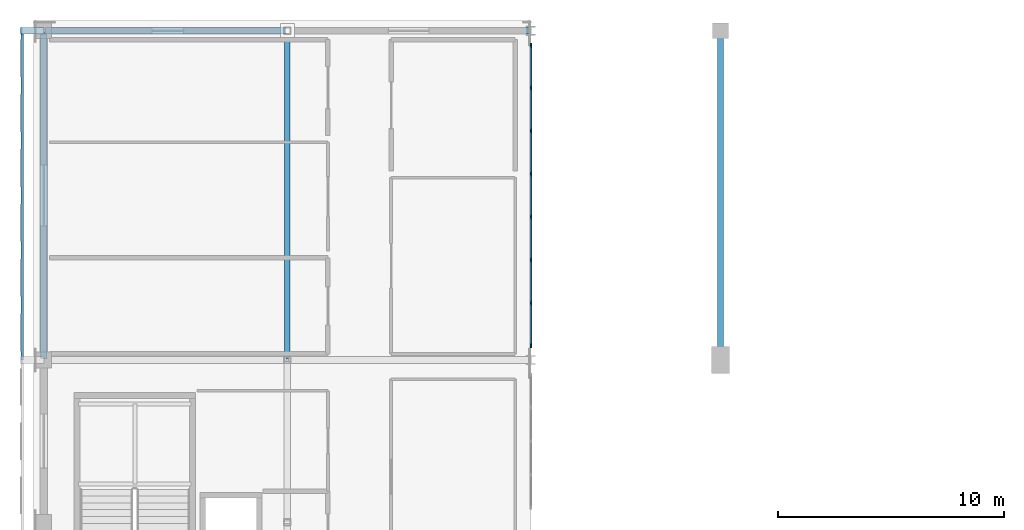
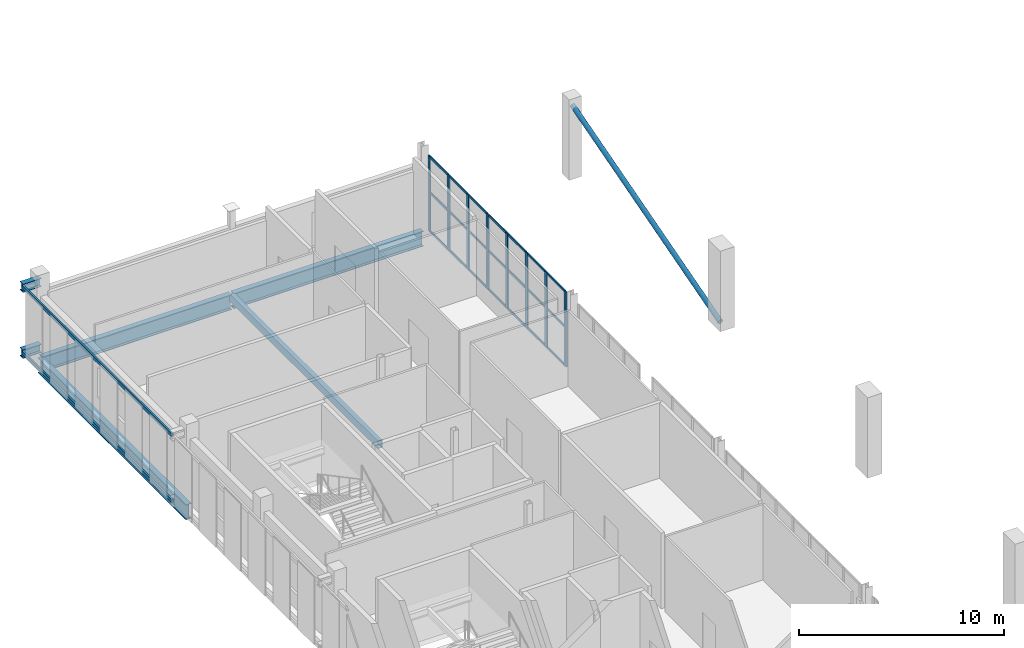
# One storey, part 14 of 51: 32 members, 6 beams, 1 element without a shape of its own.
"""IFC4 building model written with IfcOpenShell, lengths in metres."""

from ifc_helpers import new_model, si_unit, direction, frame, origin, origin_2d, place, context, subcontext, project, spatial, rectangle, hollow_rectangle, hollow_circle, i_section, extrude, material, material_profile, profile_set, type_object, element, aggregate, save


model = new_model("IFC4")

# Units and contexts
model_context = context("Model", 3, precision=1e-05, world=origin(), true_north=direction((0.0, 1.0)))
body_context = subcontext(model_context, "Body", "Model", "MODEL_VIEW")
ifc_project = project(units=[si_unit("LENGTHUNIT", "METRE"), si_unit("AREAUNIT", "SQUARE_METRE"), si_unit("VOLUMEUNIT", "CUBIC_METRE"), si_unit("PLANEANGLEUNIT", "RADIAN"), si_unit("MASSUNIT", "GRAM", prefix="KILO")], contexts=[model_context])

# Site, building, storey
site_placement = place(None, origin())
site = spatial("IfcSite", under=ifc_project, at=site_placement, CompositionType="ELEMENT")
building_placement = place(site_placement, origin())
building = spatial("IfcBuilding", under=site, at=building_placement, Name="Koshinbarg Plaza Stadium", CompositionType="ELEMENT")
storey_placement = place(building_placement, frame((0.0, 0.0, 24.60009765625)))
storey = spatial("IfcBuildingStorey", under=building, at=storey_placement, Name="L05", CompositionType="ELEMENT", Elevation=24.60009765625)

# Beams
ifc_material_1 = material(Name="Steel S355", Category="steel")
ifc_material_profile_1 = material_profile(ifc_material_1, i_section(OverallWidth=0.300048828125, OverallDepth=0.5, WebThickness=0.014404296875, FlangeThickness=0.028076171875, at=origin_2d()), Name="HEB 500")
ifc_profile_set_1 = profile_set([ifc_material_profile_1], Name="Steel S355")
beam_type_1 = type_object("IfcBeamType", Name="BM-CANOPY-CANT", PredefinedType="BEAM", material=ifc_profile_set_1)
for number, where, z_axis, x_axis, name in (
    (1, (24.60009765625, 126.5, 0.25), (-1.0, 0.0, 0.0), (0.0, -1.0, 0.0), "Outer screen cantilever outrigger W-L05-Y08"),
    (2, (24.60009765625, 126.5, 4.179931640625), (-1.0, 0.0, 0.0), (0.0, -1.0, 0.0), "Outer screen cantilever outrigger W-L05-Y08"),
):
    element("IfcBeam", number, at=place(storey_placement, frame(where, z_axis=z_axis, x_axis=x_axis)), inside=storey, type_object=beam_type_1, Name=name, PredefinedType="BEAM", context=body_context, shape_type="SweptSolid", body=[
        extrude(i_section(OverallWidth=0.300048828125, OverallDepth=0.5, WebThickness=0.014404296875, FlangeThickness=0.028076171875, at=origin_2d()), origin(), (0.0, 0.0, 1.0), 1.030029296875),
    ])
ifc_material_profile_2 = material_profile(ifc_material_1, i_section(OverallWidth=0.300048828125, OverallDepth=0.89990234375, WebThickness=0.0185546875, FlangeThickness=0.034912109375, at=origin_2d()), Name="HEB 900")
ifc_profile_set_2 = profile_set([ifc_material_profile_2], Name="Steel S355")
beam_type_2 = type_object("IfcBeamType", Name="BM-SGIR-05", PredefinedType="USERDEFINED", material=ifc_profile_set_2)
beam_1_placement = place(storey_placement, frame((24.659912109375, 126.5, -0.75), z_axis=(1.0, 0.0, 0.0), x_axis=(0.0, 1.0, 0.0)))
element("IfcBeam", 3, at=beam_1_placement, inside=storey, type_object=beam_type_2, Name="L05 X girder R/5-6", ObjectType="GIRDER", PredefinedType="USERDEFINED", context=body_context, shape_type="SweptSolid", body=[
    extrude(i_section(OverallWidth=0.300048828125, OverallDepth=0.89990234375, WebThickness=0.0185546875, FlangeThickness=0.034912109375, at=origin_2d()), origin(), (0.0, 0.0, 1.0), 10.68017578125),
])
beam_2_placement = place(storey_placement, frame((35.4599609375, 126.5, -0.75), z_axis=(1.0, 0.0, 0.0), x_axis=(0.0, 1.0, 0.0)))
element("IfcBeam", 4, at=beam_2_placement, inside=storey, type_object=beam_type_2, Name="L05 X girder R/6-7", ObjectType="GIRDER", PredefinedType="USERDEFINED", context=body_context, shape_type="SweptSolid", body=[
    extrude(i_section(OverallWidth=0.300048828125, OverallDepth=0.89990234375, WebThickness=0.0185546875, FlangeThickness=0.034912109375, at=origin_2d()), origin(), (0.0, 0.0, 1.0), 10.679931640625),
])
beam_3_placement = place(storey_placement, frame((24.60009765625, 111.9599609375, -0.75), z_axis=(0.0, 1.0, 0.0), x_axis=(-1.0, 0.0, 0.0)))
element("IfcBeam", 5, at=beam_3_placement, inside=storey, type_object=beam_type_2, Name="L05 Y girder 5/Q-R", ObjectType="GIRDER", PredefinedType="USERDEFINED", context=body_context, shape_type="SweptSolid", body=[
    extrude(i_section(OverallWidth=0.300048828125, OverallDepth=0.89990234375, WebThickness=0.0185546875, FlangeThickness=0.034912109375, at=origin_2d()), origin(), (0.0, 0.0, 1.0), 14.47998046875),
])
ifc_material_profile_3 = material_profile(ifc_material_1, hollow_rectangle(XDim=0.25, YDim=0.449951171875, WallThickness=0.01611328125, at=origin_2d()), Name="RHS 450x250x16")
ifc_profile_set_3 = profile_set([ifc_material_profile_3], Name="Steel S355")
beam_type_3 = type_object("IfcBeamType", Name="BM-SGIR-06", PredefinedType="USERDEFINED", material=ifc_profile_set_3)
beam_4_placement = place(storey_placement, frame((35.39990234375, 111.9599609375, -0.525146484375), z_axis=(0.0, 1.0, 0.0), x_axis=(-1.0, 0.0, 0.0)))
element("IfcBeam", 6, at=beam_4_placement, inside=storey, type_object=beam_type_3, Name="L05 Y girder 6/Q-R", ObjectType="GIRDER", PredefinedType="USERDEFINED", context=body_context, shape_type="SweptSolid", body=[
    extrude(hollow_rectangle(XDim=0.25, YDim=0.449951171875, WallThickness=0.01611328125, at=origin_2d()), origin(), (0.0, 0.0, 1.0), 14.47998046875),
])

# Curtain wall, members
ifc_material_2 = material(Name="Thermally broken anodised aluminium and low-E double glazing", Category="aluminium")
curtain_wall_type = type_object("IfcCurtainWallType", Name="CW-SYS-04", PredefinedType="NOTDEFINED", material=ifc_material_2)
curtain_wall_placement = place(storey_placement, origin())
curtain_wall = element("IfcCurtainWall", 7, at=curtain_wall_placement, inside=storey, type_object=curtain_wall_type, Name="L05 unitised curtain wall CW-L05-131", PredefinedType="NOTDEFINED")
ifc_material_3 = material(Name="Anodised aluminium mullion", Category="aluminium")
ifc_material_profile_4 = material_profile(ifc_material_3, rectangle(XDim=0.070068359375, YDim=0.199951171875, at=origin_2d()), Name="ALU 70x200")
ifc_profile_set_4 = profile_set([ifc_material_profile_4], Name="Anodised aluminium mullion")
member_type_1 = type_object("IfcMemberType", Name="CW-MUL-04", PredefinedType="MULLION", material=ifc_profile_set_4)
member_1_placement = place(storey_placement, frame((46.199951171875, 125.85009765625, 0.0), z_axis=(0.0, 0.0, 1.0), x_axis=(1.0, 0.0, 0.0)))
member_1 = element("IfcMember", 8, at=member_1_placement, type_object=member_type_1, Name="CW04 mullion 1", PredefinedType="MULLION", context=body_context, shape_type="SweptSolid", body=[
    extrude(rectangle(XDim=0.070068359375, YDim=0.199951171875, at=origin_2d()), origin(), (0.0, 0.0, 1.0), 4.47998046875),
])
member_2_placement = place(storey_placement, frame((46.199951171875, 123.971435546875, 0.0), z_axis=(0.0, 0.0, 1.0), x_axis=(1.0, 0.0, 0.0)))
member_2 = element("IfcMember", 9, at=member_2_placement, type_object=member_type_1, Name="CW04 mullion 2", PredefinedType="MULLION", context=body_context, shape_type="SweptSolid", body=[
    extrude(rectangle(XDim=0.070068359375, YDim=0.199951171875, at=origin_2d()), origin(), (0.0, 0.0, 1.0), 4.47998046875),
])
member_3_placement = place(storey_placement, frame((46.199951171875, 122.062744140625, 0.0), z_axis=(0.0, 0.0, 1.0), x_axis=(1.0, 0.0, 0.0)))
member_3 = element("IfcMember", 10, at=member_3_placement, type_object=member_type_1, Name="CW04 mullion 3", PredefinedType="MULLION", context=body_context, shape_type="SweptSolid", body=[
    extrude(rectangle(XDim=0.070068359375, YDim=0.199951171875, at=origin_2d()), origin(), (0.0, 0.0, 1.0), 4.47998046875),
])
member_4_placement = place(storey_placement, frame((46.199951171875, 120.154296875, 0.0), z_axis=(0.0, 0.0, 1.0), x_axis=(1.0, 0.0, 0.0)))
member_4 = element("IfcMember", 11, at=member_4_placement, type_object=member_type_1, Name="CW04 mullion 4", PredefinedType="MULLION", context=body_context, shape_type="SweptSolid", body=[
    extrude(rectangle(XDim=0.070068359375, YDim=0.199951171875, at=origin_2d()), origin(), (0.0, 0.0, 1.0), 4.47998046875),
])
member_5_placement = place(storey_placement, frame((46.199951171875, 118.24560546875, 0.0), z_axis=(0.0, 0.0, 1.0), x_axis=(1.0, 0.0, 0.0)))
member_5 = element("IfcMember", 12, at=member_5_placement, type_object=member_type_1, Name="CW04 mullion 5", PredefinedType="MULLION", context=body_context, shape_type="SweptSolid", body=[
    extrude(rectangle(XDim=0.070068359375, YDim=0.199951171875, at=origin_2d()), origin(), (0.0, 0.0, 1.0), 4.47998046875),
])
member_6_placement = place(storey_placement, frame((46.199951171875, 116.337158203125, 0.0), z_axis=(0.0, 0.0, 1.0), x_axis=(1.0, 0.0, 0.0)))
member_6 = element("IfcMember", 13, at=member_6_placement, type_object=member_type_1, Name="CW04 mullion 6", PredefinedType="MULLION", context=body_context, shape_type="SweptSolid", body=[
    extrude(rectangle(XDim=0.070068359375, YDim=0.199951171875, at=origin_2d()), origin(), (0.0, 0.0, 1.0), 4.47998046875),
])
member_7_placement = place(storey_placement, frame((46.199951171875, 114.428466796875, 0.0), z_axis=(0.0, 0.0, 1.0), x_axis=(1.0, 0.0, 0.0)))
member_7 = element("IfcMember", 14, at=member_7_placement, type_object=member_type_1, Name="CW04 mullion 7", PredefinedType="MULLION", context=body_context, shape_type="SweptSolid", body=[
    extrude(rectangle(XDim=0.070068359375, YDim=0.199951171875, at=origin_2d()), origin(), (0.0, 0.0, 1.0), 4.47998046875),
])
member_8_placement = place(storey_placement, frame((46.199951171875, 112.550048828125, 0.0), z_axis=(0.0, 0.0, 1.0), x_axis=(1.0, 0.0, 0.0)))
member_8 = element("IfcMember", 15, at=member_8_placement, type_object=member_type_1, Name="CW04 mullion 8", PredefinedType="MULLION", context=body_context, shape_type="SweptSolid", body=[
    extrude(rectangle(XDim=0.070068359375, YDim=0.199951171875, at=origin_2d()), origin(), (0.0, 0.0, 1.0), 4.47998046875),
])
ifc_material_4 = material(Name="Anodised aluminium transom", Category="aluminium")
ifc_material_profile_5 = material_profile(ifc_material_4, rectangle(XDim=0.06005859375, YDim=0.1298828125, at=origin_2d()), Name="ALU 60x130")
ifc_profile_set_5 = profile_set([ifc_material_profile_5], Name="Anodised aluminium transom")
member_type_2 = type_object("IfcMemberType", Name="CW-TRN-02", PredefinedType="USERDEFINED", material=ifc_profile_set_5)
member_9_placement = place(storey_placement, frame((46.199951171875, 125.820068359375, 0.02978515625), z_axis=(0.0, -1.0, 0.0), x_axis=(1.0, 0.0, 0.0)))
member_9 = element("IfcMember", 16, at=member_9_placement, type_object=member_type_2, Name="CW04 transom 1.1", ObjectType="TRANSOM", PredefinedType="USERDEFINED", context=body_context, shape_type="SweptSolid", body=[
    extrude(rectangle(XDim=0.06005859375, YDim=0.1298828125, at=origin_2d()), origin(), (0.0, 0.0, 1.0), 1.818603515625),
])
member_10_placement = place(storey_placement, frame((46.199951171875, 125.820068359375, 2.32958984375), z_axis=(0.0, -1.0, 0.0), x_axis=(1.0, 0.0, 0.0)))
member_10 = element("IfcMember", 17, at=member_10_placement, type_object=member_type_2, Name="CW04 transom 1.2", ObjectType="TRANSOM", PredefinedType="USERDEFINED", context=body_context, shape_type="SweptSolid", body=[
    extrude(rectangle(XDim=0.06005859375, YDim=0.1298828125, at=origin_2d()), origin(), (0.0, 0.0, 1.0), 1.818603515625),
])
member_11_placement = place(storey_placement, frame((46.199951171875, 125.820068359375, 4.449951171875), z_axis=(0.0, -1.0, 0.0), x_axis=(1.0, 0.0, 0.0)))
member_11 = element("IfcMember", 18, at=member_11_placement, type_object=member_type_2, Name="CW04 transom 1.3", ObjectType="TRANSOM", PredefinedType="USERDEFINED", context=body_context, shape_type="SweptSolid", body=[
    extrude(rectangle(XDim=0.06005859375, YDim=0.1298828125, at=origin_2d()), origin(), (0.0, 0.0, 1.0), 1.818603515625),
])
member_12_placement = place(storey_placement, frame((46.199951171875, 123.94140625, 0.02978515625), z_axis=(0.0, -1.0, 0.0), x_axis=(1.0, 0.0, 0.0)))
member_12 = element("IfcMember", 19, at=member_12_placement, type_object=member_type_2, Name="CW04 transom 2.1", ObjectType="TRANSOM", PredefinedType="USERDEFINED", context=body_context, shape_type="SweptSolid", body=[
    extrude(rectangle(XDim=0.06005859375, YDim=0.1298828125, at=origin_2d()), origin(), (0.0, 0.0, 1.0), 1.8486328125),
])
member_13_placement = place(storey_placement, frame((46.199951171875, 123.94140625, 2.32958984375), z_axis=(0.0, -1.0, 0.0), x_axis=(1.0, 0.0, 0.0)))
member_13 = element("IfcMember", 20, at=member_13_placement, type_object=member_type_2, Name="CW04 transom 2.2", ObjectType="TRANSOM", PredefinedType="USERDEFINED", context=body_context, shape_type="SweptSolid", body=[
    extrude(rectangle(XDim=0.06005859375, YDim=0.1298828125, at=origin_2d()), origin(), (0.0, 0.0, 1.0), 1.8486328125),
])
member_14_placement = place(storey_placement, frame((46.199951171875, 123.94140625, 4.449951171875), z_axis=(0.0, -1.0, 0.0), x_axis=(1.0, 0.0, 0.0)))
member_14 = element("IfcMember", 21, at=member_14_placement, type_object=member_type_2, Name="CW04 transom 2.3", ObjectType="TRANSOM", PredefinedType="USERDEFINED", context=body_context, shape_type="SweptSolid", body=[
    extrude(rectangle(XDim=0.06005859375, YDim=0.1298828125, at=origin_2d()), origin(), (0.0, 0.0, 1.0), 1.8486328125),
])
member_15_placement = place(storey_placement, frame((46.199951171875, 122.032958984375, 0.02978515625), z_axis=(0.0, -1.0, 0.0), x_axis=(1.0, 0.0, 0.0)))
member_15 = element("IfcMember", 22, at=member_15_placement, type_object=member_type_2, Name="CW04 transom 3.1", ObjectType="TRANSOM", PredefinedType="USERDEFINED", context=body_context, shape_type="SweptSolid", body=[
    extrude(rectangle(XDim=0.06005859375, YDim=0.1298828125, at=origin_2d()), origin(), (0.0, 0.0, 1.0), 1.8486328125),
])
member_16_placement = place(storey_placement, frame((46.199951171875, 122.032958984375, 2.32958984375), z_axis=(0.0, -1.0, 0.0), x_axis=(1.0, 0.0, 0.0)))
member_16 = element("IfcMember", 23, at=member_16_placement, type_object=member_type_2, Name="CW04 transom 3.2", ObjectType="TRANSOM", PredefinedType="USERDEFINED", context=body_context, shape_type="SweptSolid", body=[
    extrude(rectangle(XDim=0.06005859375, YDim=0.1298828125, at=origin_2d()), origin(), (0.0, 0.0, 1.0), 1.8486328125),
])
member_17_placement = place(storey_placement, frame((46.199951171875, 122.032958984375, 4.449951171875), z_axis=(0.0, -1.0, 0.0), x_axis=(1.0, 0.0, 0.0)))
member_17 = element("IfcMember", 24, at=member_17_placement, type_object=member_type_2, Name="CW04 transom 3.3", ObjectType="TRANSOM", PredefinedType="USERDEFINED", context=body_context, shape_type="SweptSolid", body=[
    extrude(rectangle(XDim=0.06005859375, YDim=0.1298828125, at=origin_2d()), origin(), (0.0, 0.0, 1.0), 1.8486328125),
])
member_18_placement = place(storey_placement, frame((46.199951171875, 120.124267578125, 0.02978515625), z_axis=(0.0, -1.0, 0.0), x_axis=(1.0, 0.0, 0.0)))
member_18 = element("IfcMember", 25, at=member_18_placement, type_object=member_type_2, Name="CW04 transom 4.1", ObjectType="TRANSOM", PredefinedType="USERDEFINED", context=body_context, shape_type="SweptSolid", body=[
    extrude(rectangle(XDim=0.06005859375, YDim=0.1298828125, at=origin_2d()), origin(), (0.0, 0.0, 1.0), 1.8486328125),
])
member_19_placement = place(storey_placement, frame((46.199951171875, 120.124267578125, 2.32958984375), z_axis=(0.0, -1.0, 0.0), x_axis=(1.0, 0.0, 0.0)))
member_19 = element("IfcMember", 26, at=member_19_placement, type_object=member_type_2, Name="CW04 transom 4.2", ObjectType="TRANSOM", PredefinedType="USERDEFINED", context=body_context, shape_type="SweptSolid", body=[
    extrude(rectangle(XDim=0.06005859375, YDim=0.1298828125, at=origin_2d()), origin(), (0.0, 0.0, 1.0), 1.8486328125),
])
member_20_placement = place(storey_placement, frame((46.199951171875, 120.124267578125, 4.449951171875), z_axis=(0.0, -1.0, 0.0), x_axis=(1.0, 0.0, 0.0)))
member_20 = element("IfcMember", 27, at=member_20_placement, type_object=member_type_2, Name="CW04 transom 4.3", ObjectType="TRANSOM", PredefinedType="USERDEFINED", context=body_context, shape_type="SweptSolid", body=[
    extrude(rectangle(XDim=0.06005859375, YDim=0.1298828125, at=origin_2d()), origin(), (0.0, 0.0, 1.0), 1.8486328125),
])
member_21_placement = place(storey_placement, frame((46.199951171875, 118.2158203125, 0.02978515625), z_axis=(0.0, -1.0, 0.0), x_axis=(1.0, 0.0, 0.0)))
member_21 = element("IfcMember", 28, at=member_21_placement, type_object=member_type_2, Name="CW04 transom 5.1", ObjectType="TRANSOM", PredefinedType="USERDEFINED", context=body_context, shape_type="SweptSolid", body=[
    extrude(rectangle(XDim=0.06005859375, YDim=0.1298828125, at=origin_2d()), origin(), (0.0, 0.0, 1.0), 1.8486328125),
])
member_22_placement = place(storey_placement, frame((46.199951171875, 118.2158203125, 2.32958984375), z_axis=(0.0, -1.0, 0.0), x_axis=(1.0, 0.0, 0.0)))
member_22 = element("IfcMember", 29, at=member_22_placement, type_object=member_type_2, Name="CW04 transom 5.2", ObjectType="TRANSOM", PredefinedType="USERDEFINED", context=body_context, shape_type="SweptSolid", body=[
    extrude(rectangle(XDim=0.06005859375, YDim=0.1298828125, at=origin_2d()), origin(), (0.0, 0.0, 1.0), 1.8486328125),
])
member_23_placement = place(storey_placement, frame((46.199951171875, 118.2158203125, 4.449951171875), z_axis=(0.0, -1.0, 0.0), x_axis=(1.0, 0.0, 0.0)))
member_23 = element("IfcMember", 30, at=member_23_placement, type_object=member_type_2, Name="CW04 transom 5.3", ObjectType="TRANSOM", PredefinedType="USERDEFINED", context=body_context, shape_type="SweptSolid", body=[
    extrude(rectangle(XDim=0.06005859375, YDim=0.1298828125, at=origin_2d()), origin(), (0.0, 0.0, 1.0), 1.8486328125),
])
member_24_placement = place(storey_placement, frame((46.199951171875, 116.30712890625, 0.02978515625), z_axis=(0.0, -1.0, 0.0), x_axis=(1.0, 0.0, 0.0)))
member_24 = element("IfcMember", 31, at=member_24_placement, type_object=member_type_2, Name="CW04 transom 6.1", ObjectType="TRANSOM", PredefinedType="USERDEFINED", context=body_context, shape_type="SweptSolid", body=[
    extrude(rectangle(XDim=0.06005859375, YDim=0.1298828125, at=origin_2d()), origin(), (0.0, 0.0, 1.0), 1.8486328125),
])
member_25_placement = place(storey_placement, frame((46.199951171875, 116.30712890625, 2.32958984375), z_axis=(0.0, -1.0, 0.0), x_axis=(1.0, 0.0, 0.0)))
member_25 = element("IfcMember", 32, at=member_25_placement, type_object=member_type_2, Name="CW04 transom 6.2", ObjectType="TRANSOM", PredefinedType="USERDEFINED", context=body_context, shape_type="SweptSolid", body=[
    extrude(rectangle(XDim=0.06005859375, YDim=0.1298828125, at=origin_2d()), origin(), (0.0, 0.0, 1.0), 1.8486328125),
])
member_26_placement = place(storey_placement, frame((46.199951171875, 116.30712890625, 4.449951171875), z_axis=(0.0, -1.0, 0.0), x_axis=(1.0, 0.0, 0.0)))
member_26 = element("IfcMember", 33, at=member_26_placement, type_object=member_type_2, Name="CW04 transom 6.3", ObjectType="TRANSOM", PredefinedType="USERDEFINED", context=body_context, shape_type="SweptSolid", body=[
    extrude(rectangle(XDim=0.06005859375, YDim=0.1298828125, at=origin_2d()), origin(), (0.0, 0.0, 1.0), 1.8486328125),
])
member_27_placement = place(storey_placement, frame((46.199951171875, 114.398681640625, 0.02978515625), z_axis=(0.0, -1.0, 0.0), x_axis=(1.0, 0.0, 0.0)))
member_27 = element("IfcMember", 34, at=member_27_placement, type_object=member_type_2, Name="CW04 transom 7.1", ObjectType="TRANSOM", PredefinedType="USERDEFINED", context=body_context, shape_type="SweptSolid", body=[
    extrude(rectangle(XDim=0.06005859375, YDim=0.1298828125, at=origin_2d()), origin(), (0.0, 0.0, 1.0), 1.818603515625),
])
member_28_placement = place(storey_placement, frame((46.199951171875, 114.398681640625, 2.32958984375), z_axis=(0.0, -1.0, 0.0), x_axis=(1.0, 0.0, 0.0)))
member_28 = element("IfcMember", 35, at=member_28_placement, type_object=member_type_2, Name="CW04 transom 7.2", ObjectType="TRANSOM", PredefinedType="USERDEFINED", context=body_context, shape_type="SweptSolid", body=[
    extrude(rectangle(XDim=0.06005859375, YDim=0.1298828125, at=origin_2d()), origin(), (0.0, 0.0, 1.0), 1.818603515625),
])
member_29_placement = place(storey_placement, frame((46.199951171875, 114.398681640625, 4.449951171875), z_axis=(0.0, -1.0, 0.0), x_axis=(1.0, 0.0, 0.0)))
member_29 = element("IfcMember", 36, at=member_29_placement, type_object=member_type_2, Name="CW04 transom 7.3", ObjectType="TRANSOM", PredefinedType="USERDEFINED", context=body_context, shape_type="SweptSolid", body=[
    extrude(rectangle(XDim=0.06005859375, YDim=0.1298828125, at=origin_2d()), origin(), (0.0, 0.0, 1.0), 1.818603515625),
])
aggregate(curtain_wall, [member_1, member_2, member_3, member_4, member_5, member_6, member_7, member_8, member_9, member_10, member_11, member_12, member_13, member_14, member_15, member_16, member_17, member_18, member_19, member_20, member_21, member_22, member_23, member_24, member_25, member_26, member_27, member_28, member_29])

# Members
ifc_material_profile_6 = material_profile(ifc_material_1, hollow_circle(Radius=0.136474609375, WallThickness=0.012451171875, at=origin_2d()), Name="CHS 273x12.5")
ifc_profile_set_6 = profile_set([ifc_material_profile_6], Name="Steel S355")
member_type_3 = type_object("IfcMemberType", Name="MB-BRACE-02", PredefinedType="BRACE", material=ifc_profile_set_6)
member_30_placement = place(storey_placement, frame((54.60009765625, 111.97998046875, 0.0498046875), z_axis=(0.0, 0.961092925393, 0.276225250038), x_axis=(-1.0, 0.0, 0.0)))
element("IfcMember", 37, at=member_30_placement, inside=storey, type_object=member_type_3, Name="L05 lateral frame brace 22", PredefinedType="BRACE", context=body_context, shape_type="SweptSolid", body=[
    extrude(hollow_circle(Radius=0.136474609375, WallThickness=0.012451171875, at=origin_2d()), origin(), (0.0, 0.0, 1.0), 15.0244140625),
])
ifc_material_profile_7 = material_profile(ifc_material_1, hollow_rectangle(XDim=0.10009765625, YDim=0.199951171875, WallThickness=0.008056640625, at=origin_2d()), Name="RHS 200x100x8")
ifc_profile_set_7 = profile_set([ifc_material_profile_7], Name="Steel S355")
member_type_4 = type_object("IfcMemberType", Name="MB-PURL-03", PredefinedType="PURLIN", material=ifc_profile_set_7)
for number, where, z_axis, x_axis, name in (
    (38, (23.64990234375, 111.89990234375, 0.25), (0.0, 1.0, 0.0), (-1.0, 0.0, 0.0), "L05 outer screen subframe rail W-7-BOT"),
    (39, (23.64990234375, 111.89990234375, 4.179931640625), (0.0, 1.0, 0.0), (-1.0, 0.0, 0.0), "L05 outer screen subframe rail W-7-TOP"),
):
    element("IfcMember", number, at=place(storey_placement, frame(where, z_axis=z_axis, x_axis=x_axis)), inside=storey, type_object=member_type_4, Name=name, PredefinedType="PURLIN", context=body_context, shape_type="SweptSolid", body=[
        extrude(hollow_rectangle(XDim=0.10009765625, YDim=0.199951171875, WallThickness=0.008056640625, at=origin_2d()), origin(), (0.0, 0.0, 1.0), 14.60009765625),
    ])

save(model, "model.ifc")
